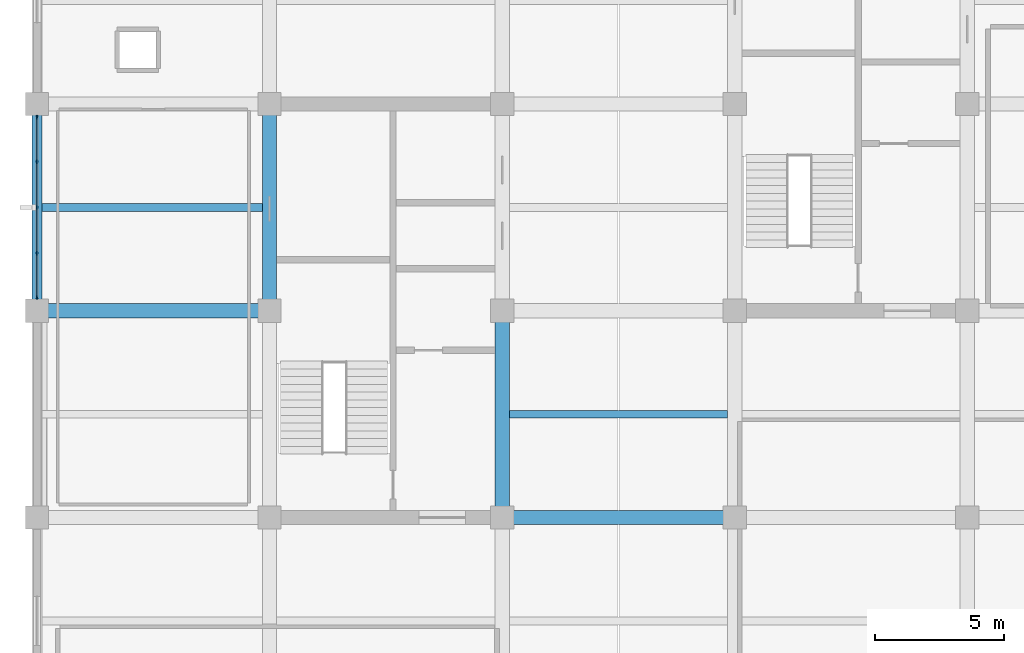
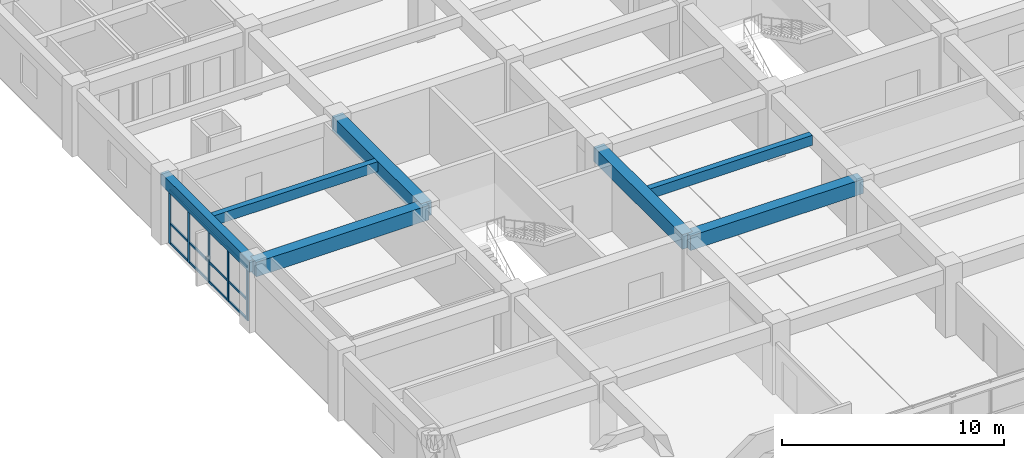
# One storey, part 4 of 16: 8 members, 7 beams, 1 element without a shape of its own.
"""IFC4 building model written with IfcOpenShell, lengths in metres."""

from ifc_helpers import new_model, si_unit, direction, frame, origin, origin_2d, place, context, subcontext, project, spatial, rectangle, extrude, material, material_profile, profile_set, type_object, element, aggregate, save


model = new_model("IFC4")

# Units and contexts
model_context = context("Model", 3, precision=1e-05, world=origin(), true_north=direction((0.0, 1.0)))
body_context = subcontext(model_context, "Body", "Model", "MODEL_VIEW")
ifc_project = project(units=[si_unit("LENGTHUNIT", "METRE"), si_unit("AREAUNIT", "SQUARE_METRE"), si_unit("VOLUMEUNIT", "CUBIC_METRE"), si_unit("PLANEANGLEUNIT", "RADIAN"), si_unit("MASSUNIT", "GRAM", prefix="KILO")], contexts=[model_context])

# Site, building, storey
site_placement = place(None, origin())
site = spatial("IfcSite", under=ifc_project, at=site_placement, CompositionType="ELEMENT")
building_placement = place(site_placement, origin())
building = spatial("IfcBuilding", under=site, at=building_placement, Name="Zaverband Oceanarium and Marine Research Institute", CompositionType="ELEMENT")
storey_placement = place(building_placement, frame((0.0, 0.0, 25.800048828125)))
storey = spatial("IfcBuildingStorey", under=building, at=storey_placement, Name="L06", CompositionType="ELEMENT", Elevation=25.800048828125)

# Beams
ifc_material_1 = material(Name="Concrete C40/50", Category="concrete")
ifc_material_profile_1 = material_profile(ifc_material_1, rectangle(XDim=0.550048828125, YDim=0.800048828125, at=origin_2d()), Name="RC550x800")
ifc_profile_set_1 = profile_set([ifc_material_profile_1], Name="Concrete C40/50")
beam_type_1 = type_object("IfcBeamType", Name="BM-550x800", PredefinedType="BEAM", material=ifc_profile_set_1)
for number, where, z_axis, x_axis, name in (
    (1, (27.0, 80.0, 3.25), (1.0, 0.0, 0.0), (0.0, 1.0, 0.0), "Primary floor girder BM-550x800"),
    (2, (9.0, 88.0, 3.25), (1.0, 0.0, 0.0), (0.0, 1.0, 0.0), "Primary floor girder BM-550x800"),
):
    element("IfcBeam", number, at=place(storey_placement, frame(where, z_axis=z_axis, x_axis=x_axis)), inside=storey, type_object=beam_type_1, Name=name, PredefinedType="BEAM", context=body_context, shape_type="SweptSolid", body=[
        extrude(rectangle(XDim=0.550048828125, YDim=0.800048828125, at=origin_2d()), origin(), (0.0, 0.0, 1.0), 9.0),
    ])
for number, where, z_axis, x_axis, name in (
    (3, (18.0, 88.0, 3.25), (0.0, 1.0, 0.0), (-1.0, 0.0, 0.0), "Primary floor girder BM-550x800"),
    (4, (27.0, 80.0, 3.25), (0.0, 1.0, 0.0), (-1.0, 0.0, 0.0), "Primary floor girder BM-550x800"),
):
    element("IfcBeam", number, at=place(storey_placement, frame(where, z_axis=z_axis, x_axis=x_axis)), inside=storey, type_object=beam_type_1, Name=name, PredefinedType="BEAM", context=body_context, shape_type="SweptSolid", body=[
        extrude(rectangle(XDim=0.550048828125, YDim=0.800048828125, at=origin_2d()), origin(), (0.0, 0.0, 1.0), 8.0),
    ])
ifc_material_profile_2 = material_profile(ifc_material_1, rectangle(XDim=0.300048828125, YDim=0.550048828125, at=origin_2d()), Name="RC300x550")
ifc_profile_set_2 = profile_set([ifc_material_profile_2], Name="Concrete C40/50")
beam_type_2 = type_object("IfcBeamType", Name="JST-300x550", PredefinedType="JOIST", material=ifc_profile_set_2)
beam_1_placement = place(storey_placement, frame((9.199951171875, 92.0, 3.375), z_axis=(1.0, 0.0, 0.0), x_axis=(0.0, 1.0, 0.0)))
element("IfcBeam", 5, at=beam_1_placement, inside=storey, type_object=beam_type_2, Name="Secondary floor joist JST-300x550", PredefinedType="JOIST", context=body_context, shape_type="SweptSolid", body=[
    extrude(rectangle(XDim=0.300048828125, YDim=0.550048828125, at=origin_2d()), origin(), (0.0, 0.0, 1.0), 8.525146484375),
])
beam_2_placement = place(storey_placement, frame((27.27490234375, 84.0, 3.375), z_axis=(1.0, 0.0, 0.0), x_axis=(0.0, 1.0, 0.0)))
element("IfcBeam", 6, at=beam_2_placement, inside=storey, type_object=beam_type_2, Name="Secondary floor joist JST-300x550", PredefinedType="JOIST", context=body_context, shape_type="SweptSolid", body=[
    extrude(rectangle(XDim=0.300048828125, YDim=0.550048828125, at=origin_2d()), origin(), (0.0, 0.0, 1.0), 8.4501953125),
])

# Curtain wall, members
ifc_material_2 = material(Name="Thermally broken anodized aluminium and solar-control glass", Category="aluminium")
curtain_wall_type = type_object("IfcCurtainWallType", Name="CW-UNIT-1800", PredefinedType="NOTDEFINED", material=ifc_material_2)
curtain_wall_placement = place(storey_placement, origin())
curtain_wall = element("IfcCurtainWall", 7, at=curtain_wall_placement, inside=storey, type_object=curtain_wall_type, Name="Unitised glazed curtain wall CW-083", PredefinedType="NOTDEFINED")
ifc_material_3 = material(Name="Thermally broken anodized aluminium", Category="aluminium")
ifc_material_profile_3 = material_profile(ifc_material_3, rectangle(XDim=0.070068359375, YDim=0.14990234375, at=origin_2d()), Name="AL-MUL-70x150")
ifc_profile_set_3 = profile_set([ifc_material_profile_3], Name="Thermally broken anodized aluminium")
member_type_1 = type_object("IfcMemberType", Name="MUL-70x150", PredefinedType="MULLION", material=ifc_profile_set_3)
member_1_placement = place(storey_placement, frame((9.0, 88.514892578125, 0.0), z_axis=(0.0, 0.0, 1.0), x_axis=(1.0, 0.0, 0.0)))
member_1 = element("IfcMember", 8, at=member_1_placement, type_object=member_type_1, Name="Curtain wall vertical mullion MUL-70x150", PredefinedType="MULLION", context=body_context, shape_type="SweptSolid", body=[
    extrude(rectangle(XDim=0.070068359375, YDim=0.14990234375, at=origin_2d()), origin(), (0.0, 0.0, 1.0), 2.97998046875),
])
member_2_placement = place(storey_placement, frame((9.0, 90.2275390625, 0.0), z_axis=(0.0, 0.0, 1.0), x_axis=(1.0, 0.0, 0.0)))
member_2 = element("IfcMember", 9, at=member_2_placement, type_object=member_type_1, Name="Curtain wall vertical mullion MUL-70x150", PredefinedType="MULLION", context=body_context, shape_type="SweptSolid", body=[
    extrude(rectangle(XDim=0.070068359375, YDim=0.14990234375, at=origin_2d()), origin(), (0.0, 0.0, 1.0), 2.97998046875),
])
member_3_placement = place(storey_placement, frame((9.0, 92.0, 0.0), z_axis=(0.0, 0.0, 1.0), x_axis=(1.0, 0.0, 0.0)))
member_3 = element("IfcMember", 10, at=member_3_placement, type_object=member_type_1, Name="Curtain wall vertical mullion MUL-70x150", PredefinedType="MULLION", context=body_context, shape_type="SweptSolid", body=[
    extrude(rectangle(XDim=0.070068359375, YDim=0.14990234375, at=origin_2d()), origin(), (0.0, 0.0, 1.0), 2.97998046875),
])
member_4_placement = place(storey_placement, frame((9.0, 93.7724609375, 0.0), z_axis=(0.0, 0.0, 1.0), x_axis=(1.0, 0.0, 0.0)))
member_4 = element("IfcMember", 11, at=member_4_placement, type_object=member_type_1, Name="Curtain wall vertical mullion MUL-70x150", PredefinedType="MULLION", context=body_context, shape_type="SweptSolid", body=[
    extrude(rectangle(XDim=0.070068359375, YDim=0.14990234375, at=origin_2d()), origin(), (0.0, 0.0, 1.0), 2.97998046875),
])
member_5_placement = place(storey_placement, frame((9.0, 95.485107421875, 0.0), z_axis=(0.0, 0.0, 1.0), x_axis=(1.0, 0.0, 0.0)))
member_5 = element("IfcMember", 12, at=member_5_placement, type_object=member_type_1, Name="Curtain wall vertical mullion MUL-70x150", PredefinedType="MULLION", context=body_context, shape_type="SweptSolid", body=[
    extrude(rectangle(XDim=0.070068359375, YDim=0.14990234375, at=origin_2d()), origin(), (0.0, 0.0, 1.0), 2.97998046875),
])

# Beam
ifc_material_profile_4 = material_profile(ifc_material_1, rectangle(XDim=0.39990234375, YDim=0.64990234375, at=origin_2d()), Name="RC400x650")
ifc_profile_set_4 = profile_set([ifc_material_profile_4], Name="Concrete C40/50")
beam_type_3 = type_object("IfcBeamType", Name="SPN-400x650", PredefinedType="SPANDREL", material=ifc_profile_set_4)
beam_3_placement = place(storey_placement, frame((9.0, 88.0, 3.324951171875), z_axis=(0.0, 1.0, 0.0), x_axis=(-1.0, 0.0, 0.0)))
element("IfcBeam", 13, at=beam_3_placement, inside=storey, type_object=beam_type_3, Name="Perimeter spandrel beam SPN-400x650", PredefinedType="SPANDREL", context=body_context, shape_type="SweptSolid", body=[
    extrude(rectangle(XDim=0.39990234375, YDim=0.64990234375, at=origin_2d()), origin(), (0.0, 0.0, 1.0), 8.0),
])

# Member
ifc_material_profile_5 = material_profile(ifc_material_3, rectangle(XDim=0.070068359375, YDim=0.114990234375, at=origin_2d()), Name="AL-TRN-70x115")
ifc_profile_set_5 = profile_set([ifc_material_profile_5], Name="Thermally broken anodized aluminium")
member_type_2 = type_object("IfcMemberType", Name="TRN-70x115", PredefinedType="USERDEFINED", material=ifc_profile_set_5)
member_6_placement = place(storey_placement, frame((9.0, 88.514892578125, 0.050048828125), z_axis=(0.0, 1.0, 0.0), x_axis=(-1.0, 0.0, 0.0)))
member_6 = element("IfcMember", 14, at=member_6_placement, type_object=member_type_2, Name="Curtain wall horizontal transom TRN-70x115", ObjectType="TRANSOM", PredefinedType="USERDEFINED", context=body_context, shape_type="SweptSolid", body=[
    extrude(rectangle(XDim=0.070068359375, YDim=0.114990234375, at=origin_2d()), origin(), (0.0, 0.0, 1.0), 6.97021484375),
])

member_7_placement = place(storey_placement, frame((9.0, 88.514892578125, 1.123046875), z_axis=(0.0, 1.0, 0.0), x_axis=(-1.0, 0.0, 0.0)))
member_7 = element("IfcMember", 15, at=member_7_placement, type_object=member_type_2, Name="Curtain wall horizontal transom TRN-70x115", ObjectType="TRANSOM", PredefinedType="USERDEFINED", context=body_context, shape_type="SweptSolid", body=[
    extrude(rectangle(XDim=0.070068359375, YDim=0.114990234375, at=origin_2d()), origin(), (0.0, 0.0, 1.0), 6.97021484375),
])

member_8_placement = place(storey_placement, frame((9.0, 88.514892578125, 2.929931640625), z_axis=(0.0, 1.0, 0.0), x_axis=(-1.0, 0.0, 0.0)))
member_8 = element("IfcMember", 16, at=member_8_placement, type_object=member_type_2, Name="Curtain wall horizontal transom TRN-70x115", ObjectType="TRANSOM", PredefinedType="USERDEFINED", context=body_context, shape_type="SweptSolid", body=[
    extrude(rectangle(XDim=0.070068359375, YDim=0.114990234375, at=origin_2d()), origin(), (0.0, 0.0, 1.0), 6.97021484375),
])

aggregate(curtain_wall, [member_1, member_2, member_3, member_4, member_5, member_6, member_7, member_8])

save(model, "model.ifc")
